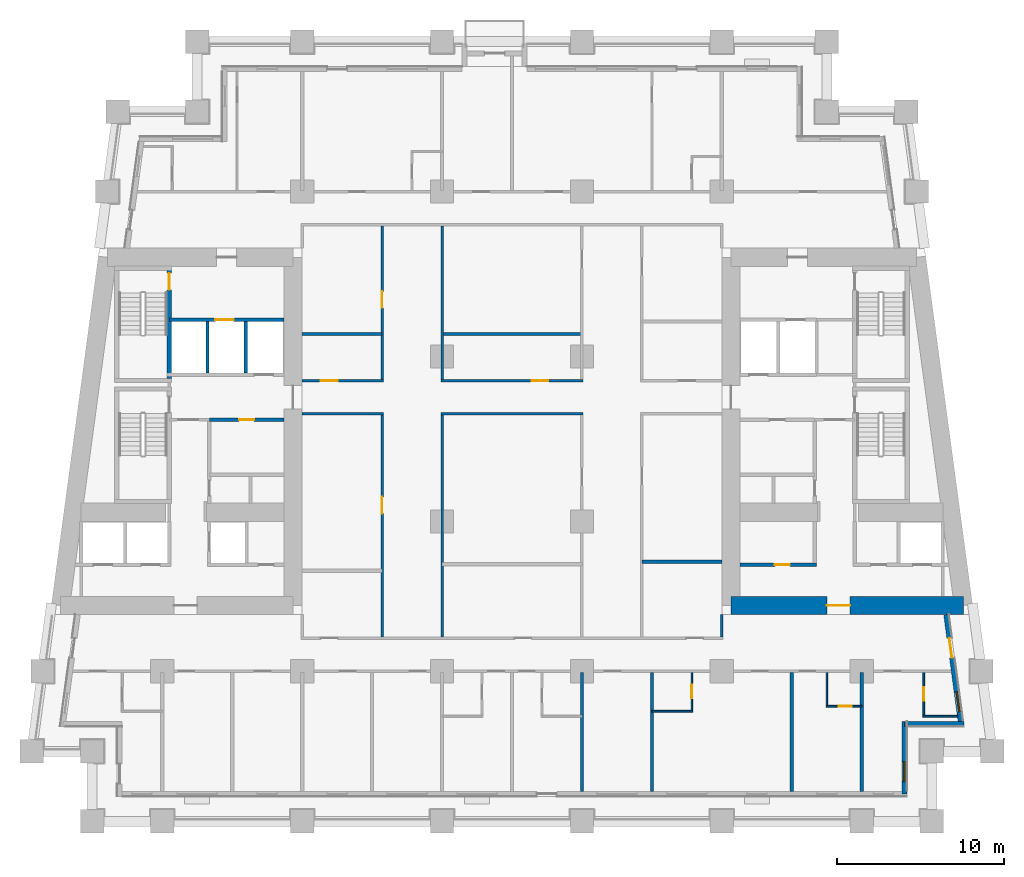
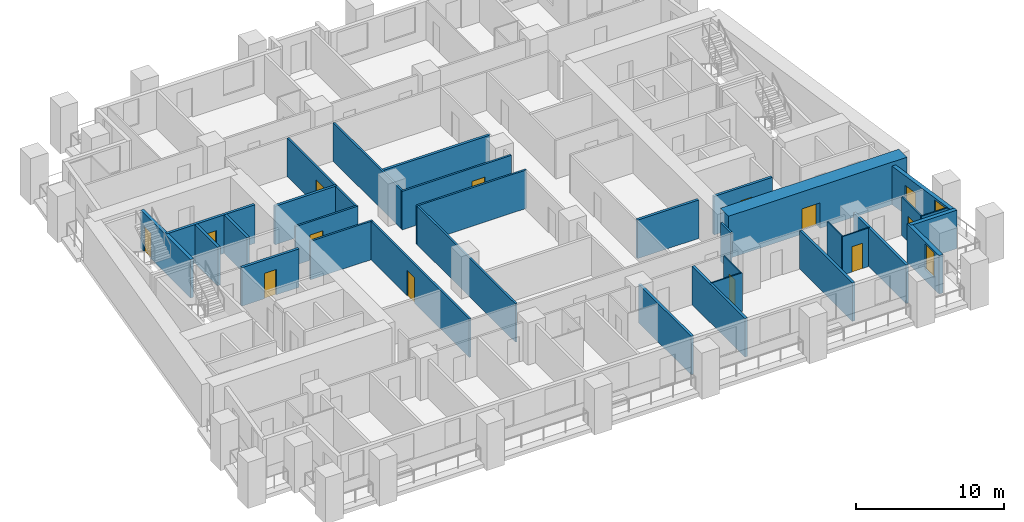
# One storey, part 4 of 12: 32 walls, 13 doors, 2 windows, 15 openings.
"""IFC4 building model written with IfcOpenShell, lengths in metres."""

from ifc_helpers import new_model, si_unit, direction, frame, frame_2d, origin, place, context, subcontext, project, spatial, rectangle, extrude, material, layer, layer_set, type_object, element, fill, save


model = new_model("IFC4")

# Units and contexts
model_context = context("Model", 3, precision=1e-05, world=origin(), true_north=direction((0.0, 1.0)))
body_context = subcontext(model_context, "Body", "Model", "MODEL_VIEW")
ifc_project = project(units=[si_unit("LENGTHUNIT", "METRE"), si_unit("AREAUNIT", "SQUARE_METRE"), si_unit("VOLUMEUNIT", "CUBIC_METRE"), si_unit("PLANEANGLEUNIT", "RADIAN"), si_unit("MASSUNIT", "GRAM", prefix="KILO")], contexts=[model_context])

# Site, building, storey
site_placement = place(None, origin())
site = spatial("IfcSite", under=ifc_project, at=site_placement, CompositionType="ELEMENT")
building_placement = place(site_placement, origin())
building = spatial("IfcBuilding", under=site, at=building_placement, Name="Candeia Pilgrim Tower and Theatre", CompositionType="ELEMENT")
storey_placement = place(building_placement, frame((0.0, 0.0, 39.0)))
storey = spatial("IfcBuildingStorey", under=building, at=storey_placement, Name="L06", CompositionType="ELEMENT", Elevation=39.0)

# Wall, opening, door
ifc_material_1 = material(Name="Concrete C80/95", Category="concrete")
ifc_layer_1 = layer(ifc_material_1, 1.10009765625)
ifc_layer_set_1 = layer_set([ifc_layer_1], Name="Core wall 1100 C80/95")
wall_type_1 = type_object("IfcWallType", Name="Core wall 1100 C80/95", PredefinedType="SHEAR", material=ifc_layer_set_1)
wall_1_placement = place(storey_placement, frame((140.501708984375, 110.949951171875, 0.0), z_axis=(0.0, 0.0, 1.0), x_axis=(-1.0, 0.0, 0.0)))
wall_1 = element("IfcWall", 1, at=wall_1_placement, inside=storey, type_object=wall_type_1, Name="Core wall E3", PredefinedType="SHEAR", context=body_context, shape_type="SweptSolid", body=[
    extrude(rectangle(XDim=13.95166015625, YDim=1.10009765625, at=frame_2d((6.975830078125, 0.0))), origin(), (0.0, 0.0, 1.0), 3.5),
])
opening_1_placement = place(wall_1_placement, frame((6.80419921875, 0.0, 0.0)))
opening_1 = element("IfcOpeningElement", 2, at=opening_1_placement, cuts=wall_1, Name="Opening L06-D056", PredefinedType="OPENING", context=body_context, shape_type="SweptSolid", body=[
    extrude(rectangle(XDim=1.39990234375, YDim=2.10009765625, at=frame_2d((0.699951171875, 1.050048828125))), frame((0.0, 0.56005859375, 0.0), z_axis=(0.0, -1.0, 0.0), x_axis=(1.0, 0.0, 0.0)), (0.0, 0.0, 1.0), 1.1201171875),
])
ifc_material_2 = material(Name="Steel fire door set", Category="steel")
door_type_1 = type_object("IfcDoorType", Name="D-1400-FD60", OperationType="NOTDEFINED", PredefinedType="DOOR", material=ifc_material_2)
door_1_placement = place(opening_1_placement, origin())
door_1 = element("IfcDoor", 3, at=door_1_placement, inside=storey, type_object=door_type_1, Name="Door L06-D056", OperationType="SINGLE_SWING_RIGHT", OverallHeight=2.10009765625, OverallWidth=1.39990234375, PredefinedType="DOOR", context=body_context, shape_type="SweptSolid", body=[
    extrude(rectangle(XDim=1.39990234375, YDim=2.10009765625, at=frame_2d((0.699951171875, 1.050048828125))), frame((0.0, 0.02490234375, 0.0), z_axis=(0.0, -1.0, 0.0), x_axis=(1.0, 0.0, 0.0)), (0.0, 0.0, 1.0), 0.050048828125),
])
fill(opening_1, door_1)

# Wall, opening, window
ifc_material_3 = material(Name="Ceramic block masonry", Category="masonry")
ifc_layer_2 = layer(ifc_material_3, 0.300048828125)
ifc_layer_set_2 = layer_set([ifc_layer_2], Name="EW1 glazing-line wall 300")
wall_type_2 = type_object("IfcWallType", Name="EW1 glazing-line wall 300", PredefinedType="SOLIDWALL", material=ifc_layer_set_2)
wall_2_placement = place(storey_placement, frame((136.949951171875, 99.64990234375, 0.0), z_axis=(0.0, 0.0, 1.0), x_axis=(0.0, 1.0, 0.0)))
wall_2 = element("IfcWall", 4, at=wall_2_placement, inside=storey, type_object=wall_type_2, Name="External wall L06-1.0", PredefinedType="SOLIDWALL", context=body_context, shape_type="SweptSolid", body=[
    extrude(rectangle(XDim=4.35009765625, YDim=0.300048828125, at=frame_2d((2.175048828125, 0.0))), origin(), (0.0, 0.0, 1.0), 3.179931640625),
])
opening_2_placement = place(wall_2_placement, frame((0.72509765625, 0.0, 0.89990234375)))
opening_2 = element("IfcOpeningElement", 5, at=opening_2_placement, cuts=wall_2, Name="Opening W-B", PredefinedType="OPENING", context=body_context, shape_type="SweptSolid", body=[
    extrude(rectangle(XDim=1.199951171875, YDim=2.10009765625, at=frame_2d((0.60009765625, 1.050048828125))), frame((0.0, 0.16015625, 0.0), z_axis=(0.0, -1.0, 0.0), x_axis=(1.0, 0.0, 0.0)), (0.0, 0.0, 1.0), 0.320068359375),
])
ifc_material_4 = material(Name="Aluminium framed double glazing", Category="aluminium")
window_type = type_object("IfcWindowType", Name="W-B window 1200x2100", PartitioningType="SINGLE_PANEL", PredefinedType="WINDOW", material=ifc_material_4)
window_1_placement = place(opening_2_placement, origin())
window_1 = element("IfcWindow", 6, at=window_1_placement, inside=storey, type_object=window_type, Name="Window W-B L06", OverallHeight=2.10009765625, OverallWidth=1.199951171875, PartitioningType="SINGLE_PANEL", PredefinedType="WINDOW", context=body_context, shape_type="SweptSolid", body=[
    extrude(rectangle(XDim=1.199951171875, YDim=2.10009765625, at=frame_2d((0.60009765625, 1.050048828125))), frame((0.0, 0.030029296875, 0.0), z_axis=(0.0, -1.0, 0.0), x_axis=(1.0, 0.0, 0.0)), (0.0, 0.0, 1.0), 0.06005859375),
])
fill(opening_2, window_1)

# Wall
wall_3_placement = place(storey_placement, frame((136.949951171875, 103.85009765625, 0.0), z_axis=(0.0, 0.0, 1.0), x_axis=(1.0, 0.0, 0.0)))
element("IfcWall", 7, at=wall_3_placement, inside=storey, type_object=wall_type_2, Name="External wall L06-2.0", PredefinedType="SOLIDWALL", context=body_context, shape_type="SweptSolid", body=[
    extrude(rectangle(XDim=3.569091796875, YDim=0.300048828125, at=frame_2d((1.78466796875, 0.0))), origin(), (0.0, 0.0, 1.0), 3.179931640625),
])

# Wall, openings, door, window
wall_4_placement = place(storey_placement, frame((140.34765625, 103.85009765625, 0.0), z_axis=(0.0, 0.0, 1.0), x_axis=(-0.133431549479, 0.991058031401, 0.0)))
wall_4 = element("IfcWall", 8, at=wall_4_placement, inside=storey, type_object=wall_type_2, Name="External wall L06-3.0", PredefinedType="SOLIDWALL", context=body_context, shape_type="SweptSolid", body=[
    extrude(rectangle(XDim=6.60888671875, YDim=0.300048828125, at=frame_2d((3.304443359375, 0.0))), origin(), (0.0, 0.0, 1.0), 3.179931640625),
])
opening_3_placement = place(wall_4_placement, frame((0.736572265625, 0.0, 0.89990234375)))
opening_3 = element("IfcOpeningElement", 9, at=opening_3_placement, cuts=wall_4, Name="Opening W-B", PredefinedType="OPENING", context=body_context, shape_type="SweptSolid", body=[
    extrude(rectangle(XDim=1.199951171875, YDim=2.10009765625, at=frame_2d((0.60009765625, 1.050048828125))), frame((0.0, 0.16015625, 0.0), z_axis=(0.0, -1.0, 0.0), x_axis=(1.0, 0.0, 0.0)), (0.0, 0.0, 1.0), 0.320068359375),
])
opening_4_placement = place(wall_4_placement, frame((3.990966796875, 0.0, 0.0)))
opening_4 = element("IfcOpeningElement", 10, at=opening_4_placement, cuts=wall_4, Name="Opening L06-ED084", PredefinedType="OPENING", context=body_context, shape_type="SweptSolid", body=[
    extrude(rectangle(XDim=1.199951171875, YDim=2.39990234375, at=frame_2d((0.60009765625, 1.199951171875))), frame((0.0, 0.16015625, 0.0), z_axis=(0.0, -1.0, 0.0), x_axis=(1.0, 0.0, 0.0)), (0.0, 0.0, 1.0), 0.320068359375),
])
ifc_material_5 = material(Name="Aluminium framed glazed door", Category="aluminium")
door_type_2 = type_object("IfcDoorType", Name="Loggia door 1200x2400", OperationType="DOUBLE_DOOR_SINGLE_SWING", PredefinedType="DOOR", material=ifc_material_5)
door_2_placement = place(opening_4_placement, origin())
door_2 = element("IfcDoor", 11, at=door_2_placement, inside=storey, type_object=door_type_2, Name="Loggia door L06-ED084", OperationType="DOUBLE_DOOR_SINGLE_SWING", OverallHeight=2.39990234375, OverallWidth=1.199951171875, PredefinedType="DOOR", context=body_context, shape_type="SweptSolid", body=[
    extrude(rectangle(XDim=1.199951171875, YDim=2.39990234375, at=frame_2d((0.60009765625, 1.199951171875))), frame((0.0, 0.02490234375, 0.0), z_axis=(0.0, -1.0, 0.0), x_axis=(1.0, 0.0, 0.0)), (0.0, 0.0, 1.0), 0.050048828125),
])
fill(opening_4, door_2)
window_2_placement = place(opening_3_placement, origin())
window_2 = element("IfcWindow", 12, at=window_2_placement, inside=storey, type_object=window_type, Name="Window W-B L06", OverallHeight=2.10009765625, OverallWidth=1.199951171875, PartitioningType="SINGLE_PANEL", PredefinedType="WINDOW", context=body_context, shape_type="SweptSolid", body=[
    extrude(rectangle(XDim=1.199951171875, YDim=2.10009765625, at=frame_2d((0.60009765625, 1.050048828125))), frame((0.0, 0.030029296875, 0.0), z_axis=(0.0, -1.0, 0.0), x_axis=(1.0, 0.0, 0.0)), (0.0, 0.0, 1.0), 0.06005859375),
])
fill(opening_3, window_2)

# Walls
ifc_material_6 = material(Name="Gypsum board partition on steel studs", Category="steel")
ifc_layer_3 = layer(ifc_material_6, 0.10009765625)
ifc_layer_set_3 = layer_set([ifc_layer_3], Name="PW-100 room partition")
wall_type_3 = type_object("IfcWallType", Name="PW-100 room partition", PredefinedType="PARTITIONING", material=ifc_layer_set_3)
wall_5_placement = place(storey_placement, frame((138.070068359375, 104.300048828125, 0.0), z_axis=(0.0, 0.0, 1.0), x_axis=(1.0, 0.0, 0.0)))
element("IfcWall", 13, at=wall_5_placement, inside=storey, type_object=wall_type_3, Name="Room partition L06-003", PredefinedType="PARTITIONING", context=body_context, shape_type="SweptSolid", body=[
    extrude(rectangle(XDim=2.07568359375, YDim=0.10009765625, at=frame_2d((1.037841796875, 0.0))), origin(), (0.0, 0.0, 1.0), 3.179931640625),
])
wall_6_placement = place(storey_placement, frame((121.800048828125, 104.60009765625, 0.0), z_axis=(0.0, 0.0, 1.0), x_axis=(1.0, 0.0, 0.0)))
element("IfcWall", 14, at=wall_6_placement, inside=storey, type_object=wall_type_3, Name="Room partition L06-005", PredefinedType="PARTITIONING", context=body_context, shape_type="SweptSolid", body=[
    extrude(rectangle(XDim=2.449951171875, YDim=0.10009765625, at=frame_2d((1.22509765625, 0.0))), origin(), (0.0, 0.0, 1.0), 3.179931640625),
])

# Wall, opening, door
wall_7_placement = place(storey_placement, frame((132.25, 104.89990234375, 0.0), z_axis=(0.0, 0.0, 1.0), x_axis=(1.0, 0.0, 0.0)))
wall_7 = element("IfcWall", 15, at=wall_7_placement, inside=storey, type_object=wall_type_3, Name="Room partition L06-006", PredefinedType="PARTITIONING", context=body_context, shape_type="SweptSolid", body=[
    extrude(rectangle(XDim=2.14990234375, YDim=0.10009765625, at=frame_2d((1.074951171875, 0.0))), origin(), (0.0, 0.0, 1.0), 3.179931640625),
])
opening_5_placement = place(wall_7_placement, frame((0.760009765625, 0.0, 0.0)))
opening_5 = element("IfcOpeningElement", 16, at=opening_5_placement, cuts=wall_7, Name="Opening L06-D028", PredefinedType="OPENING", context=body_context, shape_type="SweptSolid", body=[
    extrude(rectangle(XDim=0.800048828125, YDim=2.10009765625, at=frame_2d((0.39990234375, 1.050048828125))), frame((0.0, 0.06005859375, 0.0), z_axis=(0.0, -1.0, 0.0), x_axis=(1.0, 0.0, 0.0)), (0.0, 0.0, 1.0), 0.1201171875),
])
ifc_material_7 = material(Name="Timber door leaf", Category="wood")
door_type_3 = type_object("IfcDoorType", Name="D-800", OperationType="NOTDEFINED", PredefinedType="DOOR", material=ifc_material_7)
door_3_placement = place(opening_5_placement, origin())
door_3 = element("IfcDoor", 17, at=door_3_placement, inside=storey, type_object=door_type_3, Name="Door L06-D028", OperationType="SINGLE_SWING_RIGHT", OverallHeight=2.10009765625, OverallWidth=0.800048828125, PredefinedType="DOOR", context=body_context, shape_type="SweptSolid", body=[
    extrude(rectangle(XDim=0.800048828125, YDim=2.10009765625, at=frame_2d((0.39990234375, 1.050048828125))), frame((0.0, 0.02490234375, 0.0), z_axis=(0.0, -1.0, 0.0), x_axis=(1.0, 0.0, 0.0)), (0.0, 0.0, 1.0), 0.050048828125),
])
fill(opening_5, door_3)

wall_8_placement = place(storey_placement, frame((124.199951171875, 104.64990234375, 0.0), z_axis=(0.0, 0.0, 1.0), x_axis=(0.0, 1.0, 0.0)))
wall_8 = element("IfcWall", 18, at=wall_8_placement, inside=storey, type_object=wall_type_3, Name="Room partition L06-095", PredefinedType="PARTITIONING", context=body_context, shape_type="SweptSolid", body=[
    extrude(rectangle(XDim=2.275146484375, YDim=0.10009765625, at=frame_2d((1.1376953125, 0.0))), origin(), (0.0, 0.0, 1.0), 3.179931640625),
])
opening_6_placement = place(wall_8_placement, frame((0.75, 0.0, 0.0)))
opening_6 = element("IfcOpeningElement", 19, at=opening_6_placement, cuts=wall_8, Name="Opening L06-D026", PredefinedType="OPENING", context=body_context, shape_type="SweptSolid", body=[
    extrude(rectangle(XDim=0.800048828125, YDim=2.10009765625, at=frame_2d((0.39990234375, 1.050048828125))), frame((0.0, 0.06005859375, 0.0), z_axis=(0.0, -1.0, 0.0), x_axis=(1.0, 0.0, 0.0)), (0.0, 0.0, 1.0), 0.1201171875),
])
door_4_placement = place(opening_6_placement, origin())
door_4 = element("IfcDoor", 20, at=door_4_placement, inside=storey, type_object=door_type_3, Name="Door L06-D026", OperationType="SINGLE_SWING_RIGHT", OverallHeight=2.10009765625, OverallWidth=0.800048828125, PredefinedType="DOOR", context=body_context, shape_type="SweptSolid", body=[
    extrude(rectangle(XDim=0.800048828125, YDim=2.10009765625, at=frame_2d((0.39990234375, 1.050048828125))), frame((0.0, 0.02490234375, 0.0), z_axis=(0.0, -1.0, 0.0), x_axis=(1.0, 0.0, 0.0)), (0.0, 0.0, 1.0), 0.050048828125),
])
fill(opening_6, door_4)

# Wall
wall_9_placement = place(storey_placement, frame((132.300048828125, 104.949951171875, 0.0), z_axis=(0.0, 0.0, 1.0), x_axis=(0.0, 1.0, 0.0)))
element("IfcWall", 21, at=wall_9_placement, inside=storey, type_object=wall_type_3, Name="Room partition L06-107", PredefinedType="PARTITIONING", context=body_context, shape_type="SweptSolid", body=[
    extrude(rectangle(XDim=1.97509765625, YDim=0.10009765625, at=frame_2d((0.987548828125, 0.0))), origin(), (0.0, 0.0, 1.0), 3.179931640625),
])

# Wall, opening, door
wall_10_placement = place(storey_placement, frame((138.1201171875, 104.35009765625, 0.0), z_axis=(0.0, 0.0, 1.0), x_axis=(0.0, 1.0, 0.0)))
wall_10 = element("IfcWall", 22, at=wall_10_placement, inside=storey, type_object=wall_type_3, Name="Room partition L06-117", PredefinedType="PARTITIONING", context=body_context, shape_type="SweptSolid", body=[
    extrude(rectangle(XDim=2.574951171875, YDim=0.10009765625, at=frame_2d((1.28759765625, 0.0))), origin(), (0.0, 0.0, 1.0), 3.179931640625),
])
opening_7_placement = place(wall_10_placement, frame((0.89990234375, 0.0, 0.0)))
opening_7 = element("IfcOpeningElement", 23, at=opening_7_placement, cuts=wall_10, Name="Opening L06-D030", PredefinedType="OPENING", context=body_context, shape_type="SweptSolid", body=[
    extrude(rectangle(XDim=0.800048828125, YDim=2.10009765625, at=frame_2d((0.39990234375, 1.050048828125))), frame((0.0, 0.06005859375, 0.0), z_axis=(0.0, -1.0, 0.0), x_axis=(1.0, 0.0, 0.0)), (0.0, 0.0, 1.0), 0.1201171875),
])
door_5_placement = place(opening_7_placement, origin())
door_5 = element("IfcDoor", 24, at=door_5_placement, inside=storey, type_object=door_type_3, Name="Door L06-D030", OperationType="SINGLE_SWING_RIGHT", OverallHeight=2.10009765625, OverallWidth=0.800048828125, PredefinedType="DOOR", context=body_context, shape_type="SweptSolid", body=[
    extrude(rectangle(XDim=0.800048828125, YDim=2.10009765625, at=frame_2d((0.39990234375, 1.050048828125))), frame((0.0, 0.02490234375, 0.0), z_axis=(0.0, -1.0, 0.0), x_axis=(1.0, 0.0, 0.0)), (0.0, 0.0, 1.0), 0.050048828125),
])
fill(opening_7, door_5)

# Walls
ifc_layer_4 = layer(ifc_material_6, 0.14990234375)
ifc_layer_set_4 = layer_set([ifc_layer_4], Name="PW-150 unit wall")
wall_type_4 = type_object("IfcWallType", Name="PW-150 unit wall", PredefinedType="PARTITIONING", material=ifc_layer_set_4)
wall_11_placement = place(storey_placement, frame((100.800048828125, 122.449951171875, 0.0), z_axis=(0.0, 0.0, 1.0), x_axis=(1.0, 0.0, 0.0)))
element("IfcWall", 25, at=wall_11_placement, inside=storey, type_object=wall_type_4, Name="Unit wall L06-024", PredefinedType="PARTITIONING", context=body_context, shape_type="SweptSolid", body=[
    extrude(rectangle(XDim=4.875, YDim=0.14990234375, at=frame_2d((2.4375, 0.0))), origin(), (0.0, 0.0, 1.0), 3.179931640625),
])
wall_12_placement = place(storey_placement, frame((109.125, 122.449951171875, 0.0), z_axis=(0.0, 0.0, 1.0), x_axis=(1.0, 0.0, 0.0)))
element("IfcWall", 26, at=wall_12_placement, inside=storey, type_object=wall_type_4, Name="Unit wall L06-025", PredefinedType="PARTITIONING", context=body_context, shape_type="SweptSolid", body=[
    extrude(rectangle(XDim=8.550048828125, YDim=0.14990234375, at=frame_2d((4.27490234375, 0.0))), origin(), (0.0, 0.0, 1.0), 3.179931640625),
])

# Wall, opening, door
wall_13_placement = place(storey_placement, frame((100.800048828125, 124.449951171875, 0.0), z_axis=(0.0, 0.0, 1.0), x_axis=(1.0, 0.0, 0.0)))
wall_13 = element("IfcWall", 27, at=wall_13_placement, inside=storey, type_object=wall_type_4, Name="Unit wall L06-031", PredefinedType="PARTITIONING", context=body_context, shape_type="SweptSolid", body=[
    extrude(rectangle(XDim=4.875, YDim=0.14990234375, at=frame_2d((2.4375, 0.0))), origin(), (0.0, 0.0, 1.0), 3.179931640625),
])
opening_8_placement = place(wall_13_placement, frame((1.125, 0.0, 0.0)))
opening_8 = element("IfcOpeningElement", 28, at=opening_8_placement, cuts=wall_13, Name="Opening L06-D043", PredefinedType="OPENING", context=body_context, shape_type="SweptSolid", body=[
    extrude(rectangle(XDim=1.0, YDim=2.10009765625, at=frame_2d((0.5, 1.050048828125))), frame((0.0, 0.0849609375, 0.0), z_axis=(0.0, -1.0, 0.0), x_axis=(1.0, 0.0, 0.0)), (0.0, 0.0, 1.0), 0.169921875),
])
door_type_4 = type_object("IfcDoorType", Name="D-1000-FD30S", OperationType="NOTDEFINED", PredefinedType="DOOR", material=ifc_material_2)
door_6_placement = place(opening_8_placement, origin())
door_6 = element("IfcDoor", 29, at=door_6_placement, inside=storey, type_object=door_type_4, Name="Door L06-D043", OperationType="SINGLE_SWING_LEFT", OverallHeight=2.10009765625, OverallWidth=1.0, PredefinedType="DOOR", context=body_context, shape_type="SweptSolid", body=[
    extrude(rectangle(XDim=1.0, YDim=2.10009765625, at=frame_2d((0.5, 1.050048828125))), frame((0.0, 0.02490234375, 0.0), z_axis=(0.0, -1.0, 0.0), x_axis=(1.0, 0.0, 0.0)), (0.0, 0.0, 1.0), 0.050048828125),
])
fill(opening_8, door_6)

wall_14_placement = place(storey_placement, frame((109.125, 124.449951171875, 0.0), z_axis=(0.0, 0.0, 1.0), x_axis=(1.0, 0.0, 0.0)))
wall_14 = element("IfcWall", 30, at=wall_14_placement, inside=storey, type_object=wall_type_4, Name="Unit wall L06-032", PredefinedType="PARTITIONING", context=body_context, shape_type="SweptSolid", body=[
    extrude(rectangle(XDim=8.550048828125, YDim=0.14990234375, at=frame_2d((4.27490234375, 0.0))), origin(), (0.0, 0.0, 1.0), 3.179931640625),
])
opening_9_placement = place(wall_14_placement, frame((5.449951171875, 0.0, 0.0)))
opening_9 = element("IfcOpeningElement", 31, at=opening_9_placement, cuts=wall_14, Name="Opening L06-D047", PredefinedType="OPENING", context=body_context, shape_type="SweptSolid", body=[
    extrude(rectangle(XDim=1.0, YDim=2.10009765625, at=frame_2d((0.5, 1.050048828125))), frame((0.0, 0.0849609375, 0.0), z_axis=(0.0, -1.0, 0.0), x_axis=(1.0, 0.0, 0.0)), (0.0, 0.0, 1.0), 0.169921875),
])
door_7_placement = place(opening_9_placement, origin())
door_7 = element("IfcDoor", 32, at=door_7_placement, inside=storey, type_object=door_type_4, Name="Door L06-D047", OperationType="SINGLE_SWING_LEFT", OverallHeight=2.10009765625, OverallWidth=1.0, PredefinedType="DOOR", context=body_context, shape_type="SweptSolid", body=[
    extrude(rectangle(XDim=1.0, YDim=2.10009765625, at=frame_2d((0.5, 1.050048828125))), frame((0.0, 0.02490234375, 0.0), z_axis=(0.0, -1.0, 0.0), x_axis=(1.0, 0.0, 0.0)), (0.0, 0.0, 1.0), 0.050048828125),
])
fill(opening_9, door_7)

wall_15_placement = place(storey_placement, frame((105.60009765625, 109.074951171875, 0.0), z_axis=(0.0, 0.0, 1.0), x_axis=(0.0, 1.0, 0.0)))
wall_15 = element("IfcWall", 33, at=wall_15_placement, inside=storey, type_object=wall_type_4, Name="Unit wall L06-077", PredefinedType="PARTITIONING", context=body_context, shape_type="SweptSolid", body=[
    extrude(rectangle(XDim=13.300048828125, YDim=0.14990234375, at=frame_2d((6.64990234375, 0.0))), origin(), (0.0, 0.0, 1.0), 3.179931640625),
])
opening_10_placement = place(wall_15_placement, frame((7.39599609375, 0.0, 0.0)))
opening_10 = element("IfcOpeningElement", 34, at=opening_10_placement, cuts=wall_15, Name="Opening L06-D042", PredefinedType="OPENING", context=body_context, shape_type="SweptSolid", body=[
    extrude(rectangle(XDim=1.0, YDim=2.10009765625, at=frame_2d((0.5, 1.050048828125))), frame((0.0, 0.0849609375, 0.0), z_axis=(0.0, -1.0, 0.0), x_axis=(1.0, 0.0, 0.0)), (0.0, 0.0, 1.0), 0.169921875),
])
door_8_placement = place(opening_10_placement, origin())
door_8 = element("IfcDoor", 35, at=door_8_placement, inside=storey, type_object=door_type_4, Name="Door L06-D042", OperationType="SINGLE_SWING_RIGHT", OverallHeight=2.10009765625, OverallWidth=1.0, PredefinedType="DOOR", context=body_context, shape_type="SweptSolid", body=[
    extrude(rectangle(XDim=1.0, YDim=2.10009765625, at=frame_2d((0.5, 1.050048828125))), frame((0.0, 0.02490234375, 0.0), z_axis=(0.0, -1.0, 0.0), x_axis=(1.0, 0.0, 0.0)), (0.0, 0.0, 1.0), 0.050048828125),
])
fill(opening_10, door_8)

wall_16_placement = place(storey_placement, frame((105.60009765625, 124.52490234375, 0.0), z_axis=(0.0, 0.0, 1.0), x_axis=(0.0, 1.0, 0.0)))
wall_16 = element("IfcWall", 36, at=wall_16_placement, inside=storey, type_object=wall_type_4, Name="Unit wall L06-078", PredefinedType="PARTITIONING", context=body_context, shape_type="SweptSolid", body=[
    extrude(rectangle(XDim=9.2001953125, YDim=0.14990234375, at=frame_2d((4.60009765625, 0.0))), origin(), (0.0, 0.0, 1.0), 3.179931640625),
])
opening_11_placement = place(wall_16_placement, frame((4.291015625, 0.0, 0.0)))
opening_11 = element("IfcOpeningElement", 37, at=opening_11_placement, cuts=wall_16, Name="Opening L06-D044", PredefinedType="OPENING", context=body_context, shape_type="SweptSolid", body=[
    extrude(rectangle(XDim=1.0, YDim=2.10009765625, at=frame_2d((0.5, 1.050048828125))), frame((0.0, 0.0849609375, 0.0), z_axis=(0.0, -1.0, 0.0), x_axis=(1.0, 0.0, 0.0)), (0.0, 0.0, 1.0), 0.169921875),
])
door_9_placement = place(opening_11_placement, origin())
door_9 = element("IfcDoor", 38, at=door_9_placement, inside=storey, type_object=door_type_4, Name="Door L06-D044", OperationType="SINGLE_SWING_RIGHT", OverallHeight=2.10009765625, OverallWidth=1.0, PredefinedType="DOOR", context=body_context, shape_type="SweptSolid", body=[
    extrude(rectangle(XDim=1.0, YDim=2.10009765625, at=frame_2d((0.5, 1.050048828125))), frame((0.0, 0.02490234375, 0.0), z_axis=(0.0, -1.0, 0.0), x_axis=(1.0, 0.0, 0.0)), (0.0, 0.0, 1.0), 0.050048828125),
])
fill(opening_11, door_9)

# Walls
wall_17_placement = place(storey_placement, frame((109.199951171875, 109.074951171875, 0.0), z_axis=(0.0, 0.0, 1.0), x_axis=(0.0, 1.0, 0.0)))
element("IfcWall", 39, at=wall_17_placement, inside=storey, type_object=wall_type_4, Name="Unit wall L06-082", PredefinedType="PARTITIONING", context=body_context, shape_type="SweptSolid", body=[
    extrude(rectangle(XDim=13.300048828125, YDim=0.14990234375, at=frame_2d((6.64990234375, 0.0))), origin(), (0.0, 0.0, 1.0), 3.179931640625),
])
wall_18_placement = place(storey_placement, frame((109.199951171875, 124.52490234375, 0.0), z_axis=(0.0, 0.0, 1.0), x_axis=(0.0, 1.0, 0.0)))
element("IfcWall", 40, at=wall_18_placement, inside=storey, type_object=wall_type_4, Name="Unit wall L06-083", PredefinedType="PARTITIONING", context=body_context, shape_type="SweptSolid", body=[
    extrude(rectangle(XDim=9.2001953125, YDim=0.14990234375, at=frame_2d((4.60009765625, 0.0))), origin(), (0.0, 0.0, 1.0), 3.179931640625),
])
wall_19_placement = place(storey_placement, frame((126.0, 109.074951171875, 0.0), z_axis=(0.0, 0.0, 1.0), x_axis=(0.0, 1.0, 0.0)))
element("IfcWall", 41, at=wall_19_placement, inside=storey, type_object=wall_type_4, Name="Unit wall L06-098", PredefinedType="PARTITIONING", context=body_context, shape_type="SweptSolid", body=[
    extrude(rectangle(XDim=1.324951171875, YDim=0.14990234375, at=frame_2d((0.66259765625, 0.0))), origin(), (0.0, 0.0, 1.0), 3.179931640625),
])
ifc_layer_5 = layer(ifc_material_6, 0.199951171875)
ifc_layer_set_5 = layer_set([ifc_layer_5], Name="PW-200 party wall")
wall_type_5 = type_object("IfcWallType", Name="PW-200 party wall", PredefinedType="PARTITIONING", material=ifc_layer_set_5)
for number, where, z_axis, x_axis, name in (
    (42, (121.199951171875, 113.572998046875, 0.0), (0.0, 0.0, 1.0), (1.0, 0.0, 0.0), "Party wall L06-015"),
    (43, (100.800048828125, 127.2548828125, 0.0), (0.0, 0.0, 1.0), (1.0, 0.0, 0.0), "Party wall L06-037"),
):
    element("IfcWall", number, at=place(storey_placement, frame(where, z_axis=z_axis, x_axis=x_axis)), inside=storey, type_object=wall_type_5, Name=name, PredefinedType="PARTITIONING", context=body_context, shape_type="SweptSolid", body=[
        extrude(rectangle(XDim=4.800048828125, YDim=0.199951171875, at=frame_2d((2.39990234375, 0.0))), origin(), (0.0, 0.0, 1.0), 3.179931640625),
    ])
wall_20_placement = place(storey_placement, frame((109.199951171875, 127.2548828125, 0.0), z_axis=(0.0, 0.0, 1.0), x_axis=(1.0, 0.0, 0.0)))
element("IfcWall", 44, at=wall_20_placement, inside=storey, type_object=wall_type_5, Name="Party wall L06-038", PredefinedType="PARTITIONING", context=body_context, shape_type="SweptSolid", body=[
    extrude(rectangle(XDim=8.400146484375, YDim=0.199951171875, at=frame_2d((4.2001953125, 0.0))), origin(), (0.0, 0.0, 1.0), 3.179931640625),
])
for number, where, z_axis, x_axis, name in (
    (45, (117.60009765625, 99.7900390625, 0.0), (0.0, 0.0, 1.0), (0.0, 1.0, 0.0), "Party wall L06-088"),
    (46, (121.800048828125, 99.7900390625, 0.0), (0.0, 0.0, 1.0), (0.0, 1.0, 0.0), "Party wall L06-094"),
    (47, (130.199951171875, 99.7900390625, 0.0), (0.0, 0.0, 1.0), (0.0, 1.0, 0.0), "Party wall L06-102"),
    (48, (134.39990234375, 99.7900390625, 0.0), (0.0, 0.0, 1.0), (0.0, 1.0, 0.0), "Party wall L06-113"),
):
    element("IfcWall", number, at=place(storey_placement, frame(where, z_axis=z_axis, x_axis=x_axis)), inside=storey, type_object=wall_type_5, Name=name, PredefinedType="PARTITIONING", context=body_context, shape_type="SweptSolid", body=[
        extrude(rectangle(XDim=7.135009765625, YDim=0.199951171875, at=frame_2d((3.5673828125, 0.0))), origin(), (0.0, 0.0, 1.0), 3.179931640625),
    ])

# Wall, opening, door
ifc_material_8 = material(Name="Concrete C40/50", Category="concrete")
ifc_layer_6 = layer(ifc_material_8, 0.199951171875)
ifc_layer_set_6 = layer_set([ifc_layer_6], Name="SW-200 shaft wall")
wall_type_6 = type_object("IfcWallType", Name="SW-200 shaft wall", PredefinedType="PARTITIONING", material=ifc_layer_set_6)
wall_21_placement = place(storey_placement, frame((127.10009765625, 113.39990234375, 0.0), z_axis=(0.0, 0.0, 1.0), x_axis=(1.0, 0.0, 0.0)))
wall_21 = element("IfcWall", 49, at=wall_21_placement, inside=storey, type_object=wall_type_6, Name="Shaft wall L06-012", PredefinedType="PARTITIONING", context=body_context, shape_type="SweptSolid", body=[
    extrude(rectangle(XDim=4.572998046875, YDim=0.199951171875, at=frame_2d((2.28662109375, 0.0))), origin(), (0.0, 0.0, 1.0), 3.179931640625),
])
opening_12_placement = place(wall_21_placement, frame((2.073974609375, 0.0, 0.0)))
opening_12 = element("IfcOpeningElement", 50, at=opening_12_placement, cuts=wall_21, Name="Opening L06-D013", PredefinedType="OPENING", context=body_context, shape_type="SweptSolid", body=[
    extrude(rectangle(XDim=0.89990234375, YDim=2.10009765625, at=frame_2d((0.449951171875, 1.050048828125))), frame((0.0, 0.10986328125, 0.0), z_axis=(0.0, -1.0, 0.0), x_axis=(1.0, 0.0, 0.0)), (0.0, 0.0, 1.0), 0.219970703125),
])
door_type_5 = type_object("IfcDoorType", Name="D-900-FD60", OperationType="NOTDEFINED", PredefinedType="DOOR", material=ifc_material_2)
door_10_placement = place(opening_12_placement, origin())
door_10 = element("IfcDoor", 51, at=door_10_placement, inside=storey, type_object=door_type_5, Name="Door L06-D013", OperationType="SINGLE_SWING_LEFT", OverallHeight=2.10009765625, OverallWidth=0.89990234375, PredefinedType="DOOR", context=body_context, shape_type="SweptSolid", body=[
    extrude(rectangle(XDim=0.89990234375, YDim=2.10009765625, at=frame_2d((0.449951171875, 1.050048828125))), frame((0.0, 0.02490234375, 0.0), z_axis=(0.0, -1.0, 0.0), x_axis=(1.0, 0.0, 0.0)), (0.0, 0.0, 1.0), 0.050048828125),
])
fill(opening_12, door_10)

wall_22_placement = place(storey_placement, frame((95.22705078125, 122.10009765625, 0.0), z_axis=(0.0, 0.0, 1.0), x_axis=(1.0, 0.0, 0.0)))
wall_22 = element("IfcWall", 52, at=wall_22_placement, inside=storey, type_object=wall_type_6, Name="Shaft wall L06-020", PredefinedType="PARTITIONING", context=body_context, shape_type="SweptSolid", body=[
    extrude(rectangle(XDim=4.472900390625, YDim=0.199951171875, at=frame_2d((2.236328125, 0.0))), origin(), (0.0, 0.0, 1.0), 3.179931640625),
])
opening_13_placement = place(wall_22_placement, frame((1.785888671875, 0.0, 0.0)))
opening_13 = element("IfcOpeningElement", 53, at=opening_13_placement, cuts=wall_22, Name="Opening L06-D002", PredefinedType="OPENING", context=body_context, shape_type="SweptSolid", body=[
    extrude(rectangle(XDim=0.89990234375, YDim=2.10009765625, at=frame_2d((0.449951171875, 1.050048828125))), frame((0.0, 0.10986328125, 0.0), z_axis=(0.0, -1.0, 0.0), x_axis=(1.0, 0.0, 0.0)), (0.0, 0.0, 1.0), 0.219970703125),
])
door_11_placement = place(opening_13_placement, origin())
door_11 = element("IfcDoor", 54, at=door_11_placement, inside=storey, type_object=door_type_5, Name="Door L06-D002", OperationType="SINGLE_SWING_RIGHT", OverallHeight=2.10009765625, OverallWidth=0.89990234375, PredefinedType="DOOR", context=body_context, shape_type="SweptSolid", body=[
    extrude(rectangle(XDim=0.89990234375, YDim=2.10009765625, at=frame_2d((0.449951171875, 1.050048828125))), frame((0.0, 0.02490234375, 0.0), z_axis=(0.0, -1.0, 0.0), x_axis=(1.0, 0.0, 0.0)), (0.0, 0.0, 1.0), 0.050048828125),
])
fill(opening_13, door_11)

wall_23_placement = place(storey_placement, frame((92.826904296875, 128.10009765625, 0.0), z_axis=(0.0, 0.0, 1.0), x_axis=(1.0, 0.0, 0.0)))
wall_23 = element("IfcWall", 55, at=wall_23_placement, inside=storey, type_object=wall_type_6, Name="Shaft wall L06-040", PredefinedType="PARTITIONING", context=body_context, shape_type="SweptSolid", body=[
    extrude(rectangle(XDim=6.873046875, YDim=0.199951171875, at=frame_2d((3.4365234375, 0.0))), origin(), (0.0, 0.0, 1.0), 3.179931640625),
])
opening_14_placement = place(wall_23_placement, frame((2.763916015625, 0.0, 0.0)))
opening_14 = element("IfcOpeningElement", 56, at=opening_14_placement, cuts=wall_23, Name="Opening L06-LD01", PredefinedType="OPENING", context=body_context, shape_type="SweptSolid", body=[
    extrude(rectangle(XDim=1.10009765625, YDim=2.10009765625, at=frame_2d((0.550048828125, 1.050048828125))), frame((0.0, 0.10986328125, 0.0), z_axis=(0.0, -1.0, 0.0), x_axis=(1.0, 0.0, 0.0)), (0.0, 0.0, 1.0), 0.219970703125),
])
ifc_material_9 = material(Name="Glazed aluminium landing door", Category="aluminium")
door_type_6 = type_object("IfcDoorType", Name="LD-1100-EI120", OperationType="SLIDING_TO_LEFT", PredefinedType="DOOR", material=ifc_material_9)
door_12_placement = place(opening_14_placement, origin())
door_12 = element("IfcDoor", 57, at=door_12_placement, inside=storey, type_object=door_type_6, Name="Landing door 01 L06", OperationType="SLIDING_TO_LEFT", OverallHeight=2.10009765625, OverallWidth=1.10009765625, PredefinedType="DOOR", context=body_context, shape_type="SweptSolid", body=[
    extrude(rectangle(XDim=1.10009765625, YDim=2.10009765625, at=frame_2d((0.550048828125, 1.050048828125))), frame((0.0, 0.02490234375, 0.0), z_axis=(0.0, -1.0, 0.0), x_axis=(1.0, 0.0, 0.0)), (0.0, 0.0, 1.0), 0.050048828125),
])
fill(opening_14, door_12)

# Walls
for number, where, z_axis, x_axis, name in (
    (58, (95.117919921875, 124.89990234375, 0.0), (0.0, 0.0, 1.0), (0.0, 1.0, 0.0), "Shaft wall L06-064"),
    (59, (97.408935546875, 124.89990234375, 0.0), (0.0, 0.0, 1.0), (0.0, 1.0, 0.0), "Shaft wall L06-069"),
):
    element("IfcWall", number, at=place(storey_placement, frame(where, z_axis=z_axis, x_axis=x_axis)), inside=storey, type_object=wall_type_6, Name=name, PredefinedType="PARTITIONING", context=body_context, shape_type="SweptSolid", body=[
        extrude(rectangle(XDim=3.10009765625, YDim=0.199951171875, at=frame_2d((1.550048828125, 0.0))), origin(), (0.0, 0.0, 1.0), 3.179931640625),
    ])

# Wall, opening, door
ifc_layer_7 = layer(ifc_material_8, 0.25)
ifc_layer_set_7 = layer_set([ifc_layer_7], Name="SW-250 stair wall")
wall_type_7 = type_object("IfcWallType", Name="SW-250 stair wall", PredefinedType="PARTITIONING", material=ifc_layer_set_7)
wall_24_placement = place(storey_placement, frame((92.826904296875, 124.574951171875, 0.0), z_axis=(0.0, 0.0, 1.0), x_axis=(0.0, 1.0, 0.0)))
wall_24 = element("IfcWall", 60, at=wall_24_placement, inside=storey, type_object=wall_type_7, Name="Stair wall L06-061", PredefinedType="PARTITIONING", context=body_context, shape_type="SweptSolid", body=[
    extrude(rectangle(XDim=6.755126953125, YDim=0.25, at=frame_2d((3.37744140625, 0.0))), origin(), (0.0, 0.0, 1.0), 3.179931640625),
])
opening_15_placement = place(wall_24_placement, frame((5.324951171875, 0.0, 0.0)))
opening_15 = element("IfcOpeningElement", 61, at=opening_15_placement, cuts=wall_24, Name="Opening L06-D004", PredefinedType="OPENING", context=body_context, shape_type="SweptSolid", body=[
    extrude(rectangle(XDim=1.0, YDim=2.10009765625, at=frame_2d((0.5, 1.050048828125))), frame((0.0, 0.135009765625, 0.0), z_axis=(0.0, -1.0, 0.0), x_axis=(1.0, 0.0, 0.0)), (0.0, 0.0, 1.0), 0.27001953125),
])
door_type_7 = type_object("IfcDoorType", Name="D-1000-FD60", OperationType="NOTDEFINED", PredefinedType="DOOR", material=ifc_material_2)
door_13_placement = place(opening_15_placement, origin())
door_13 = element("IfcDoor", 62, at=door_13_placement, inside=storey, type_object=door_type_7, Name="Door L06-D004", OperationType="SINGLE_SWING_RIGHT", OverallHeight=2.10009765625, OverallWidth=1.0, PredefinedType="DOOR", context=body_context, shape_type="SweptSolid", body=[
    extrude(rectangle(XDim=1.0, YDim=2.10009765625, at=frame_2d((0.5, 1.050048828125))), frame((0.0, 0.02490234375, 0.0), z_axis=(0.0, -1.0, 0.0), x_axis=(1.0, 0.0, 0.0)), (0.0, 0.0, 1.0), 0.050048828125),
])
fill(opening_15, door_13)

save(model, "model.ifc")
